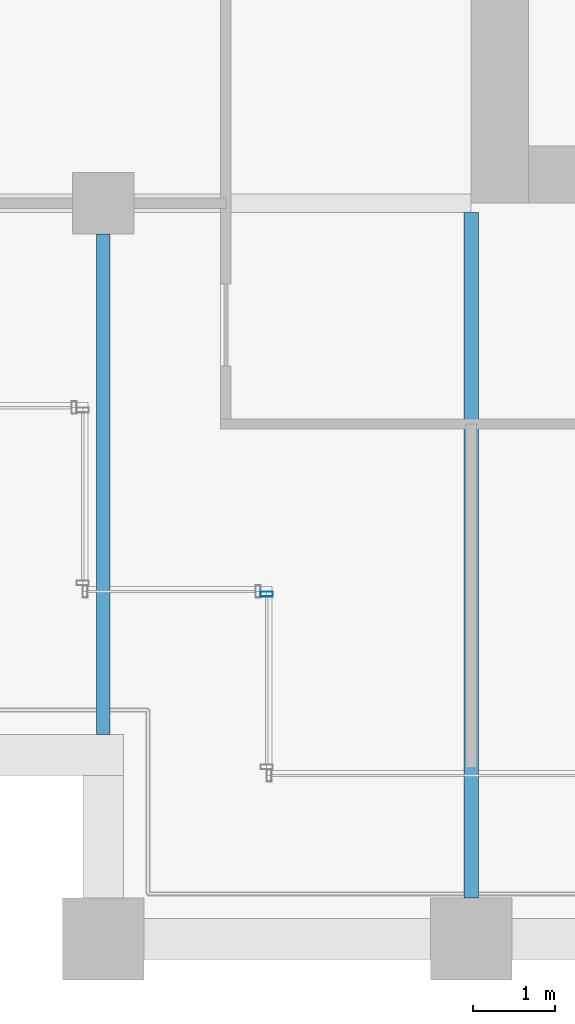
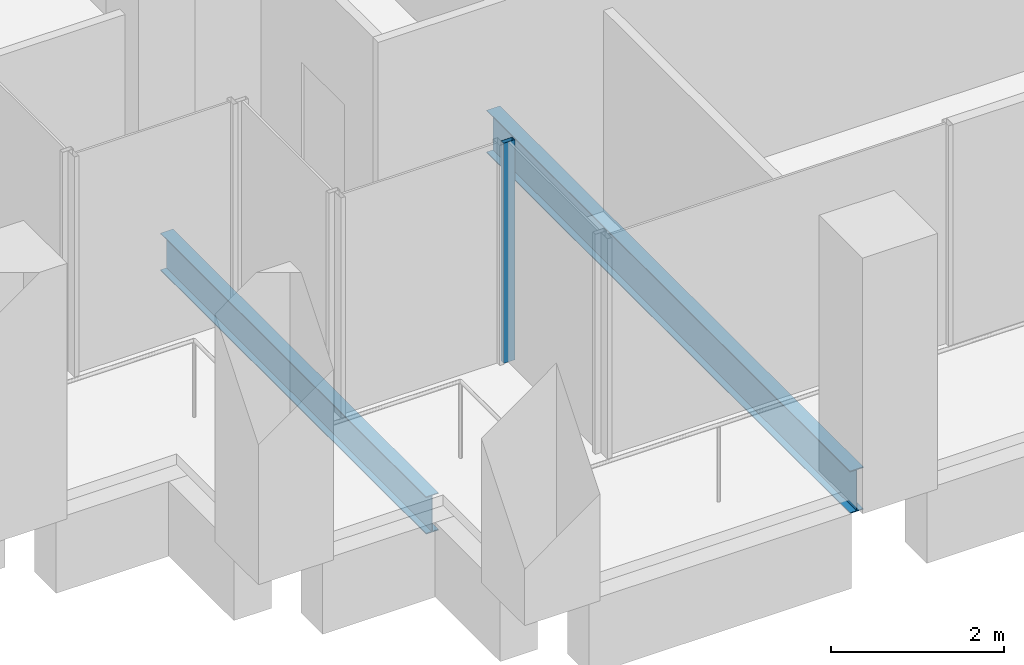
# One storey, part 29 of 46: 2 beams, 1 member, 1 element without a shape of its own.
"""IFC4 building model written with IfcOpenShell, lengths in metres."""

from ifc_helpers import new_model, si_unit, direction, frame, origin, origin_2d, place, context, subcontext, project, spatial, hollow_rectangle, i_section, extrude, material, material_profile, profile_set, type_object, element, aggregate, save


model = new_model("IFC4")

# Units and contexts
model_context = context("Model", 3, precision=1e-05, world=origin(), true_north=direction((0.0, 1.0)))
body_context = subcontext(model_context, "Body", "Model", "MODEL_VIEW")
ifc_project = project(units=[si_unit("LENGTHUNIT", "METRE"), si_unit("AREAUNIT", "SQUARE_METRE"), si_unit("VOLUMEUNIT", "CUBIC_METRE"), si_unit("PLANEANGLEUNIT", "RADIAN"), si_unit("MASSUNIT", "GRAM", prefix="KILO")], contexts=[model_context])

# Site, building, storey
site_placement = place(None, origin())
site = spatial("IfcSite", under=ifc_project, at=site_placement, CompositionType="ELEMENT")
building_placement = place(site_placement, origin())
building = spatial("IfcBuilding", under=site, at=building_placement, Name="Altepetl Exchange Towers", CompositionType="ELEMENT")
storey_placement = place(building_placement, frame((0.0, 0.0, 131.60009765625)))
storey = spatial("IfcBuildingStorey", under=building, at=storey_placement, Name="L32", CompositionType="ELEMENT", Elevation=131.60009765625)

# Beams
ifc_material_1 = material(Name="Steel S355", Category="steel")
ifc_material_profile_1 = material_profile(ifc_material_1, i_section(OverallWidth=0.166015625, OverallDepth=0.529052734375, WebThickness=0.009765625, FlangeThickness=0.013671875, at=origin_2d()), Name="W21X50")
ifc_profile_set_1 = profile_set([ifc_material_profile_1], Name="Steel S355")
beam_type_1 = type_object("IfcBeamType", Name="Floor beam W21X50", PredefinedType="BEAM", material=ifc_profile_set_1)
beam_1_placement = place(storey_placement, frame((99.0, 29.5, -0.41455078125), z_axis=(0.0, 1.0, 0.0), x_axis=(-1.0, 0.0, 0.0)))
element("IfcBeam", 1, at=beam_1_placement, inside=storey, type_object=beam_type_1, Name="bm:B:L32:004", PredefinedType="BEAM", context=body_context, shape_type="SweptSolid", body=[
    extrude(i_section(OverallWidth=0.166015625, OverallDepth=0.529052734375, WebThickness=0.009765625, FlangeThickness=0.013671875, at=origin_2d()), origin(), (0.0, 0.0, 1.0), 6.125),
])
ifc_material_profile_2 = material_profile(ifc_material_1, i_section(OverallWidth=0.177978515625, OverallDepth=0.59912109375, WebThickness=0.010009765625, FlangeThickness=0.0126953125, at=origin_2d()), Name="W24X55")
ifc_profile_set_2 = profile_set([ifc_material_profile_2], Name="Steel S355")
beam_type_2 = type_object("IfcBeamType", Name="Floor beam W24X55", PredefinedType="BEAM", material=ifc_profile_set_2)
beam_2_placement = place(storey_placement, frame((103.5, 27.5, -0.44970703125), z_axis=(0.0, 1.0, 0.0), x_axis=(-1.0, 0.0, 0.0)))
element("IfcBeam", 2, at=beam_2_placement, inside=storey, type_object=beam_type_2, Name="bm:B:L32:005", PredefinedType="BEAM", context=body_context, shape_type="SweptSolid", body=[
    extrude(i_section(OverallWidth=0.177978515625, OverallDepth=0.59912109375, WebThickness=0.010009765625, FlangeThickness=0.0126953125, at=origin_2d()), origin(), (0.0, 0.0, 1.0), 8.385986328125),
])

# Curtain wall, member
ifc_material_2 = material(Name="Aluminium 6063-T6 glazing", Category="aluminium")
curtain_wall_type = type_object("IfcCurtainWallType", Name="Loggia glazing system", PredefinedType="NOTDEFINED", material=ifc_material_2)
curtain_wall_placement = place(storey_placement, origin())
curtain_wall = element("IfcCurtainWall", 3, at=curtain_wall_placement, inside=storey, type_object=curtain_wall_type, Name="CW1 run", PredefinedType="NOTDEFINED")
ifc_material_3 = material(Name="Aluminium 6063-T6", Category="aluminium")
ifc_material_profile_3 = material_profile(ifc_material_3, hollow_rectangle(XDim=0.06005859375, YDim=0.14990234375, WallThickness=0.0029296875, at=origin_2d()), Name="Mullion 60x150 aluminium")
ifc_profile_set_3 = profile_set([ifc_material_profile_3], Name="Aluminium 6063-T6")
member_type = type_object("IfcMemberType", Name="Mullion 60x150 aluminium", PredefinedType="MULLION", material=ifc_profile_set_3)
member_placement = place(storey_placement, frame((101.0, 31.219970703125, 0.0), z_axis=(0.0, 0.0, 1.0), x_axis=(0.0, -1.0, 0.0)))
member = element("IfcMember", 4, at=member_placement, type_object=member_type, Name="MU1 mullion", PredefinedType="MULLION", context=body_context, shape_type="SweptSolid", body=[
    extrude(hollow_rectangle(XDim=0.06005859375, YDim=0.14990234375, WallThickness=0.0029296875, at=origin_2d()), origin(), (0.0, 0.0, 1.0), 3.099853515625),
])
aggregate(curtain_wall, [member])

save(model, "model.ifc")
